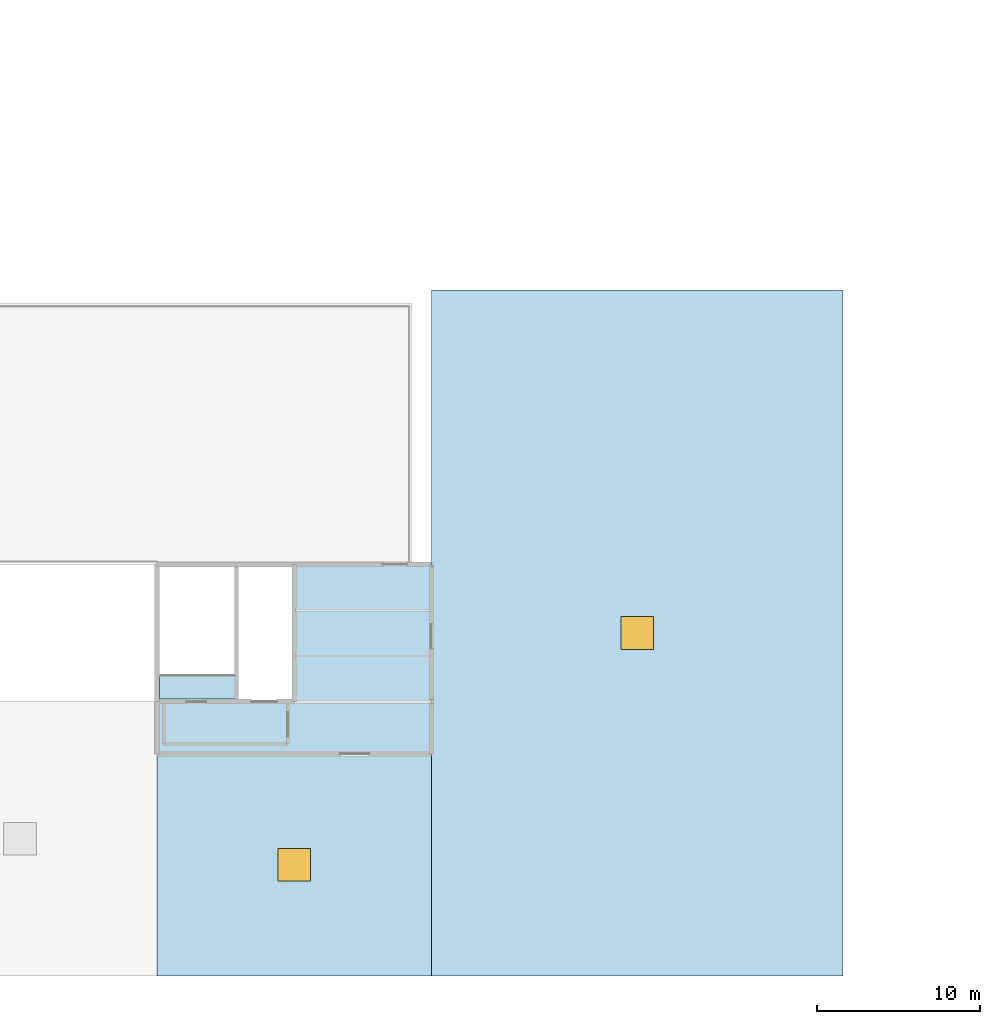
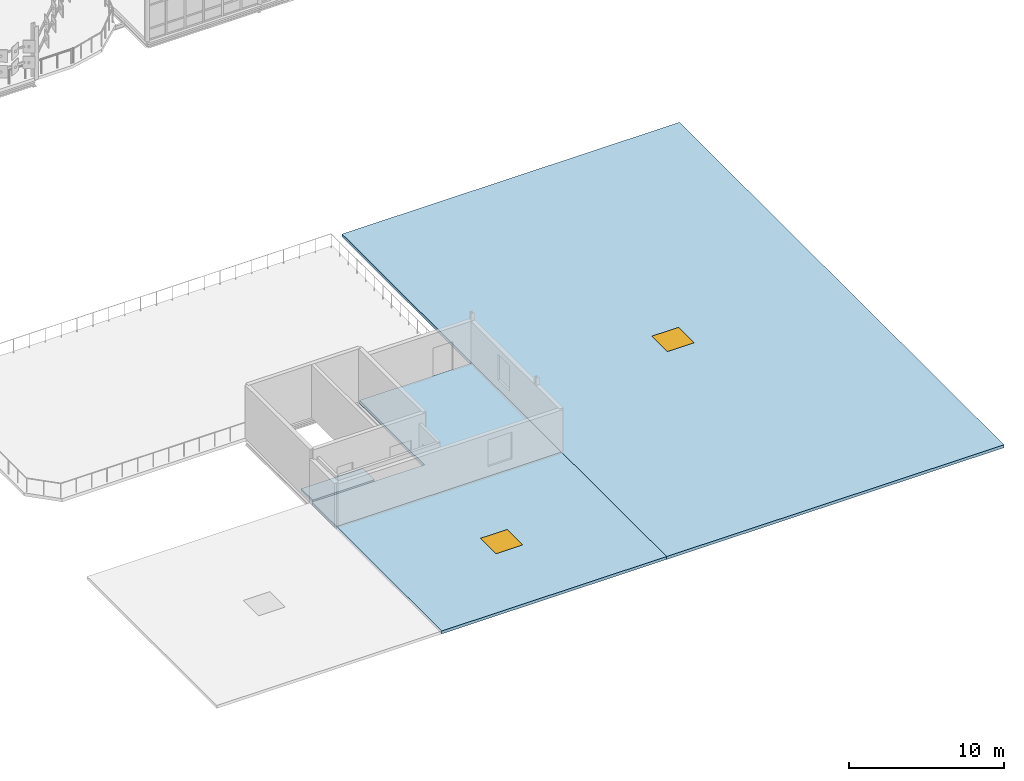
# One storey, part 42 of 69: 4 slabs, 2 windows, 2 openings.
"""IFC4 building model written with IfcOpenShell, lengths in metres."""

from ifc_helpers import new_model, si_unit, direction, frame, origin, origin_2d, place, context, subcontext, project, spatial, polyline, rectangle, outline, extrude, material, layer, layer_set, type_object, element, fill, save


model = new_model("IFC4")

# Units and contexts
model_context = context("Model", 3, precision=1e-05, world=origin(), true_north=direction((0.0, 1.0)))
body_context = subcontext(model_context, "Body", "Model", "MODEL_VIEW")
ifc_project = project(units=[si_unit("LENGTHUNIT", "METRE"), si_unit("AREAUNIT", "SQUARE_METRE"), si_unit("VOLUMEUNIT", "CUBIC_METRE"), si_unit("PLANEANGLEUNIT", "RADIAN"), si_unit("MASSUNIT", "GRAM", prefix="KILO")], contexts=[model_context])

# Site, building, storey
site_placement = place(None, origin())
site = spatial("IfcSite", under=ifc_project, at=site_placement, CompositionType="ELEMENT")
building_placement = place(site_placement, origin())
building = spatial("IfcBuilding", under=site, at=building_placement, Name="Qalvenar Corner Mobility Hub", CompositionType="ELEMENT")
storey_placement = place(building_placement, frame((0.0, 0.0, 13.199951171875)))
storey = spatial("IfcBuildingStorey", under=building, at=storey_placement, Name="L03", CompositionType="ELEMENT", Elevation=13.199951171875)

# Slabs
ifc_material_1 = material(Name="Concrete C35/45", Category="concrete")
ifc_layer_1 = layer(ifc_material_1, 0.25)
ifc_layer_set_1 = layer_set([ifc_layer_1], Name="Concrete C35/45")
slab_type_1 = type_object("IfcSlabType", Name="SLB-BUS250", PredefinedType="FLOOR", material=ifc_layer_set_1)
slab_1_placement = place(storey_placement, frame((0.0, 0.0, -0.25)))
element("IfcSlab", 1, at=slab_1_placement, inside=storey, type_object=slab_type_1, Name="Composite Slab V6-A-L03", PredefinedType="FLOOR", context=body_context, shape_type="SweptSolid", body=[
    extrude(outline(polyline([(126.0, 13.60009765625), (142.800048828125, 13.60009765625), (142.800048828125, 25.199951171875), (134.39990234375, 25.199951171875), (134.39990234375, 16.800048828125), (126.0, 16.800048828125), (126.0, 13.60009765625)])), origin(), (0.0, 0.0, 1.0), 0.25),
])
ifc_layer_2 = layer(ifc_material_1, 0.175048828125)
ifc_layer_set_2 = layer_set([ifc_layer_2], Name="Concrete C35/45")
slab_type_2 = type_object("IfcSlabType", Name="SLB-LND200", PredefinedType="LANDING", material=ifc_layer_set_2)
slab_2_placement = place(storey_placement, frame((0.0, 0.0, -0.175048828125)))
element("IfcSlab", 2, at=slab_2_placement, inside=storey, type_object=slab_type_2, Name="Core Stair Arrival Landing C6-L03", PredefinedType="LANDING", context=body_context, shape_type="SweptSolid", body=[
    extrude(outline(polyline([(126.14990234375, 16.949951171875), (130.77001953125, 16.949951171875), (130.77001953125, 18.449951171875), (126.14990234375, 18.449951171875), (126.14990234375, 16.949951171875)])), origin(), (0.0, 0.0, 1.0), 0.175048828125),
])

# Slab, opening, window
ifc_material_2 = material(Name="Concrete C35/45", Category="concrete")
ifc_layer_3 = layer(ifc_material_2, 0.22998046875)
ifc_layer_set_3 = layer_set([ifc_layer_3], Name="Concrete C35/45")
slab_type_3 = type_object("IfcSlabType", Name="SLB-ROOF190", PredefinedType="ROOF", material=ifc_layer_set_3)
slab_3_placement = place(storey_placement, frame((0.0, 0.0, -0.22998046875)))
slab_3 = element("IfcSlab", 3, at=slab_3_placement, inside=storey, type_object=slab_type_3, Name="Workshop Maintenance Roof V6-E", PredefinedType="ROOF", context=body_context, shape_type="SweptSolid", body=[
    extrude(outline(polyline([(142.800048828125, 0.0), (168.0, 0.0), (168.0, 42.0), (142.800048828125, 42.0), (142.800048828125, 0.0)]), holes=[polyline([(154.39990234375, 20.0), (156.39990234375, 20.0), (156.39990234375, 22.0), (154.39990234375, 22.0), (154.39990234375, 20.0)])]), origin(), (0.0, 0.0, 1.0), 0.22998046875),
])
opening_1_placement = place(slab_3_placement, frame((155.39990234375, 21.0, 0.0)))
opening_1 = element("IfcOpeningElement", 4, at=opening_1_placement, cuts=slab_3, Name="Opening SK-03", PredefinedType="OPENING", context=body_context, shape_type="SweptSolid", body=[
    extrude(rectangle(XDim=2.0, YDim=2.0, at=origin_2d()), origin(), (0.0, 0.0, 1.0), 0.22998046875),
])
ifc_material_3 = material(Name="Solar-Control Double-Glazed Bronze Window", Category="glass")
window_type = type_object("IfcWindowType", Name="SKY-CYC-200X200", PartitioningType="SINGLE_PANEL", PredefinedType="SKYLIGHT", material=ifc_material_3)
window_1_placement = place(opening_1_placement, frame((0.0, 0.0, 0.179931640625)))
window_1 = element("IfcWindow", 5, at=window_1_placement, inside=storey, type_object=window_type, Name="Workshop Skylight SK-V6-E", OverallHeight=2.0, OverallWidth=2.0, PartitioningType="SINGLE_PANEL", PredefinedType="SKYLIGHT", context=body_context, shape_type="SweptSolid", body=[
    extrude(rectangle(XDim=2.0, YDim=2.0, at=origin_2d()), origin(), (0.0, 0.0, 1.0), 0.050048828125),
])
fill(opening_1, window_1)

slab_4_placement = place(storey_placement, frame((0.0, 0.0, -0.22998046875)))
slab_4 = element("IfcSlab", 6, at=slab_4_placement, inside=storey, type_object=slab_type_3, Name="Workshop Maintenance Roof V6-SE", PredefinedType="ROOF", context=body_context, shape_type="SweptSolid", body=[
    extrude(outline(polyline([(126.0, 0.0), (142.800048828125, 0.0), (142.800048828125, 13.60009765625), (126.0, 13.60009765625), (126.0, 0.0)]), holes=[polyline([(133.39990234375, 5.800048828125), (135.39990234375, 5.800048828125), (135.39990234375, 7.800048828125), (133.39990234375, 7.800048828125), (133.39990234375, 5.800048828125)])]), origin(), (0.0, 0.0, 1.0), 0.22998046875),
])
opening_2_placement = place(slab_4_placement, frame((134.39990234375, 6.800048828125, 0.0)))
opening_2 = element("IfcOpeningElement", 7, at=opening_2_placement, cuts=slab_4, Name="Opening SK-03", PredefinedType="OPENING", context=body_context, shape_type="SweptSolid", body=[
    extrude(rectangle(XDim=2.0, YDim=2.0, at=origin_2d()), origin(), (0.0, 0.0, 1.0), 0.22998046875),
])
window_2_placement = place(opening_2_placement, frame((0.0, 0.0, 0.179931640625)))
window_2 = element("IfcWindow", 8, at=window_2_placement, inside=storey, type_object=window_type, Name="Workshop Skylight SK-V6-SE", OverallHeight=2.0, OverallWidth=2.0, PartitioningType="SINGLE_PANEL", PredefinedType="SKYLIGHT", context=body_context, shape_type="SweptSolid", body=[
    extrude(rectangle(XDim=2.0, YDim=2.0, at=origin_2d()), origin(), (0.0, 0.0, 1.0), 0.050048828125),
])
fill(opening_2, window_2)

save(model, "model.ifc")
